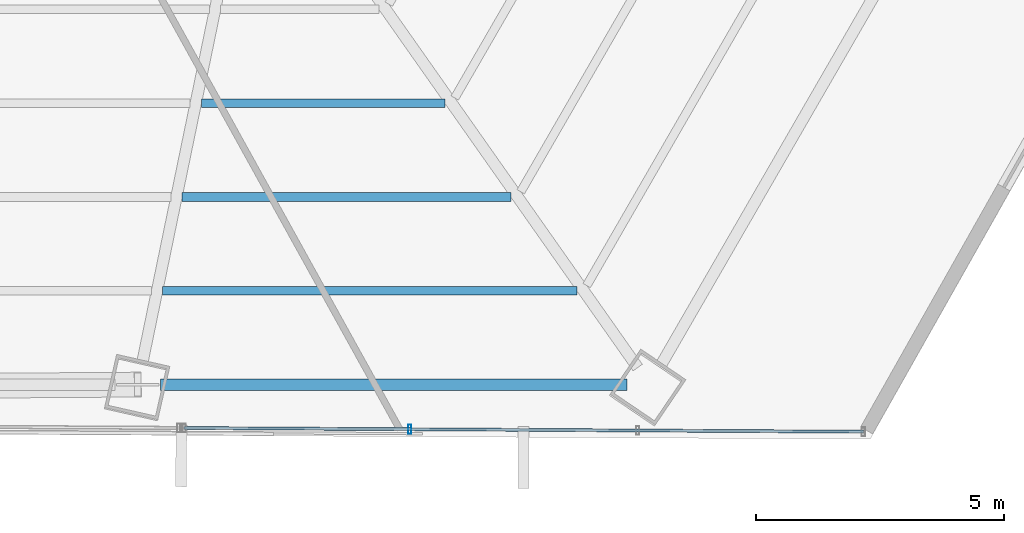
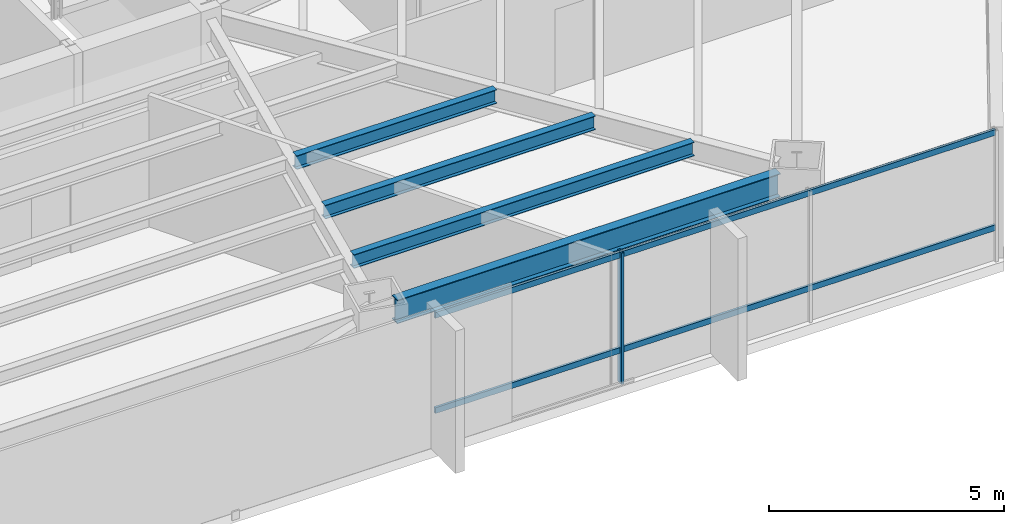
# One storey, part 15 of 35: 4 beams, 3 members, 1 element without a shape of its own.
"""IFC4 building model written with IfcOpenShell, lengths in metres."""

from ifc_helpers import new_model, si_unit, direction, frame, origin, origin_2d, place, context, subcontext, project, spatial, hollow_rectangle, i_section, extrude, source, transform, mapped, material, material_profile, profile_set, type_object, type_shapes, element, aggregate, save


model = new_model("IFC4")

# Units and contexts
model_context = context("Model", 3, precision=1e-05, world=origin(), true_north=direction((0.0, 1.0)))
body_context = subcontext(model_context, "Body", "Model", "MODEL_VIEW")
ifc_project = project(units=[si_unit("LENGTHUNIT", "METRE"), si_unit("AREAUNIT", "SQUARE_METRE"), si_unit("VOLUMEUNIT", "CUBIC_METRE"), si_unit("PLANEANGLEUNIT", "RADIAN"), si_unit("MASSUNIT", "GRAM", prefix="KILO")], contexts=[model_context])

# Site, building, storey
site_placement = place(None, origin())
site = spatial("IfcSite", under=ifc_project, at=site_placement, CompositionType="ELEMENT")
building_placement = place(site_placement, origin())
building = spatial("IfcBuilding", under=site, at=building_placement, Name="Caelisora Broadcast Tower", CompositionType="ELEMENT")
storey_placement = place(building_placement, frame((0.0, 0.0, 87.14990234375)))
storey = spatial("IfcBuildingStorey", under=building, at=storey_placement, Name="L22", CompositionType="ELEMENT", Elevation=87.14990234375)

# Beams
ifc_material_1 = material(Name="Steel Grade 350 (AS/NZS 3679.1)", Category="steel")
ifc_material_profile_1 = material_profile(ifc_material_1, i_section(OverallWidth=0.22900390625, OverallDepth=0.611572265625, WebThickness=0.011962890625, FlangeThickness=0.01953125, at=origin_2d()), Name="Steel Grade 350 (AS/NZS 3679.1)")
ifc_profile_set_1 = profile_set([ifc_material_profile_1], Name="Steel Grade 350 (AS/NZS 3679.1)")
beam_type_1 = type_object("IfcBeamType", Name="PG03", PredefinedType="BEAM", material=ifc_profile_set_1)
shared_shape_1 = source(origin(), body_context, "Body", "SweptSolid", [
    extrude(i_section(OverallWidth=0.22900390625, OverallDepth=0.611572265625, WebThickness=0.011962890625, FlangeThickness=0.01953125, at=origin_2d()), origin(), (0.0, 0.0, 1.0), 9.40234375),
])
type_shapes(beam_type_1, [shared_shape_1])
beam_1_placement = place(storey_placement, frame((43.62109375, 6.0517578125, 3.09423828125), z_axis=(1.0, 0.0, 0.0), x_axis=(0.0, 1.0, 0.0)))
element("IfcBeam", 1, at=beam_1_placement, inside=storey, type_object=beam_type_1, Name="L22 beam PG03", PredefinedType="BEAM", context=body_context, shape_type="MappedRepresentation", body=[
    mapped(shared_shape_1, transform((0.0, 0.0, 0.0), scale=1.0)),
])
ifc_material_profile_2 = material_profile(ifc_material_1, i_section(OverallWidth=0.172119140625, OverallDepth=0.358642578125, WebThickness=0.008056640625, FlangeThickness=0.012939453125, at=origin_2d()), Name="Steel Grade 350 (AS/NZS 3679.1)")
ifc_profile_set_2 = profile_set([ifc_material_profile_2], Name="Steel Grade 350 (AS/NZS 3679.1)")
beam_type_2 = type_object("IfcBeamType", Name="SB02", PredefinedType="JOIST", material=ifc_profile_set_2)
shared_shape_2 = source(origin(), body_context, "Body", "SweptSolid", [
    extrude(i_section(OverallWidth=0.172119140625, OverallDepth=0.358642578125, WebThickness=0.008056640625, FlangeThickness=0.012939453125, at=origin_2d()), origin(), (0.0, 0.0, 1.0), 6.631591796875),
])
beam_2_placement = place(storey_placement, frame((44.05419921875, 9.83447265625, 3.220703125), z_axis=(1.0, 0.0, 0.0), x_axis=(0.0, 1.0, 0.0)))
element("IfcBeam", 2, at=beam_2_placement, inside=storey, type_object=beam_type_2, Name="L22 beam SB02", PredefinedType="JOIST", context=body_context, shape_type="MappedRepresentation", body=[
    mapped(shared_shape_2, transform((0.0, 0.0, 0.0), scale=1.0)),
])
shared_shape_3 = source(origin(), body_context, "Body", "SweptSolid", [
    extrude(i_section(OverallWidth=0.172119140625, OverallDepth=0.358642578125, WebThickness=0.008056640625, FlangeThickness=0.012939453125, at=origin_2d()), origin(), (0.0, 0.0, 1.0), 8.352294921875),
])
beam_3_placement = place(storey_placement, frame((43.664306640625, 7.943115234375, 3.220703125), z_axis=(1.0, 0.0, 0.0), x_axis=(0.0, 1.0, 0.0)))
element("IfcBeam", 3, at=beam_3_placement, inside=storey, type_object=beam_type_2, Name="L22 beam SB02", PredefinedType="JOIST", context=body_context, shape_type="MappedRepresentation", body=[
    mapped(shared_shape_3, transform((0.0, 0.0, 0.0), scale=1.0)),
])
shared_shape_4 = source(origin(), body_context, "Body", "SweptSolid", [
    extrude(i_section(OverallWidth=0.172119140625, OverallDepth=0.358642578125, WebThickness=0.008056640625, FlangeThickness=0.012939453125, at=origin_2d()), origin(), (0.0, 0.0, 1.0), 4.9111328125),
])
type_shapes(beam_type_2, [shared_shape_2, shared_shape_3, shared_shape_4])
beam_4_placement = place(storey_placement, frame((44.444091796875, 11.725830078125, 3.220703125), z_axis=(1.0, 0.0, 0.0), x_axis=(0.0, 1.0, 0.0)))
element("IfcBeam", 4, at=beam_4_placement, inside=storey, type_object=beam_type_2, Name="L22 beam SB02", PredefinedType="JOIST", context=body_context, shape_type="MappedRepresentation", body=[
    mapped(shared_shape_4, transform((0.0, 0.0, 0.0), scale=1.0)),
])

# Curtain wall, members
ifc_material_2 = material(Name="Unitised Aluminium and Low-E Glass Curtain Wall", Category="glass")
curtain_wall_type = type_object("IfcCurtainWallType", Name="CW-Z2", PredefinedType="NOTDEFINED", material=ifc_material_2)
curtain_wall_placement = place(storey_placement, origin())
curtain_wall = element("IfcCurtainWall", 5, at=curtain_wall_placement, inside=storey, type_object=curtain_wall_type, Name="L22 curtain wall CW-Z2", PredefinedType="NOTDEFINED")
ifc_material_3 = material(Name="Aluminium 6063-T6 Anodised Terracotta Bronze", Category="aluminium")
ifc_material_profile_3 = material_profile(ifc_material_3, hollow_rectangle(XDim=0.06494140625, YDim=0.179931640625, WallThickness=0.00341796875, at=origin_2d()), Name="Aluminium 6063-T6 Anodised Terracotta Bronze")
ifc_profile_set_3 = profile_set([ifc_material_profile_3], Name="Aluminium 6063-T6 Anodised Terracotta Bronze")
member_type_1 = type_object("IfcMemberType", Name="CWM-02", PredefinedType="MULLION", material=ifc_profile_set_3)
shared_shape_5 = source(origin(), body_context, "Body", "SweptSolid", [
    extrude(hollow_rectangle(XDim=0.06494140625, YDim=0.179931640625, WallThickness=0.00341796875, at=origin_2d()), origin(), (0.0, 0.0, 1.0), 3.400146484375),
])
type_shapes(member_type_1, [shared_shape_5])
member_1_placement = place(storey_placement, frame((48.64501953125, 5.151611328125, 0.0), z_axis=(0.0, 0.0, 1.0), x_axis=(1.0, 0.0, 0.0)))
member_1 = element("IfcMember", 6, at=member_1_placement, type_object=member_type_1, Name="L22-CW-B05 mullion #2", PredefinedType="MULLION", context=body_context, shape_type="MappedRepresentation", body=[
    mapped(shared_shape_5, transform((0.0, 0.0, 0.0), scale=1.0)),
])
ifc_material_profile_4 = material_profile(ifc_material_3, hollow_rectangle(XDim=0.06005859375, YDim=0.14990234375, WallThickness=0.00341796875, at=origin_2d()), Name="Aluminium 6063-T6 Anodised Terracotta Bronze")
ifc_profile_set_4 = profile_set([ifc_material_profile_4], Name="Aluminium 6063-T6 Anodised Terracotta Bronze")
member_type_2 = type_object("IfcMemberType", Name="CWT-02", PredefinedType="USERDEFINED", material=ifc_profile_set_4)
shared_shape_6 = source(origin(), body_context, "Body", "SweptSolid", [
    extrude(hollow_rectangle(XDim=0.06005859375, YDim=0.14990234375, WallThickness=0.00341796875, at=origin_2d()), origin(), (0.0, 0.0, 1.0), 13.69873046875),
])
type_shapes(member_type_2, [shared_shape_6])
member_2_placement = place(storey_placement, frame((57.7939453125, 5.101318359375, 0.85009765625), z_axis=(-0.999984836061, 0.005507054382, 0.0), x_axis=(-0.005507054382, -0.999984836061, 0.0)))
member_2 = element("IfcMember", 7, at=member_2_placement, type_object=member_type_2, Name="L22-CW-B05 transom #1", ObjectType="TRANSOM", PredefinedType="USERDEFINED", context=body_context, shape_type="MappedRepresentation", body=[
    mapped(shared_shape_6, transform((0.0, 0.0, 0.0), scale=1.0)),
])
member_3_placement = place(storey_placement, frame((57.7939453125, 5.101318359375, 3.320068359375), z_axis=(-0.999984836061, 0.005507054382, 0.0), x_axis=(-0.005507054382, -0.999984836061, 0.0)))
member_3 = element("IfcMember", 8, at=member_3_placement, type_object=member_type_2, Name="L22-CW-B05 transom #2", ObjectType="TRANSOM", PredefinedType="USERDEFINED", context=body_context, shape_type="MappedRepresentation", body=[
    mapped(shared_shape_6, transform((0.0, 0.0, 0.0), scale=1.0)),
])
aggregate(curtain_wall, [member_1, member_2, member_3])

save(model, "model.ifc")
